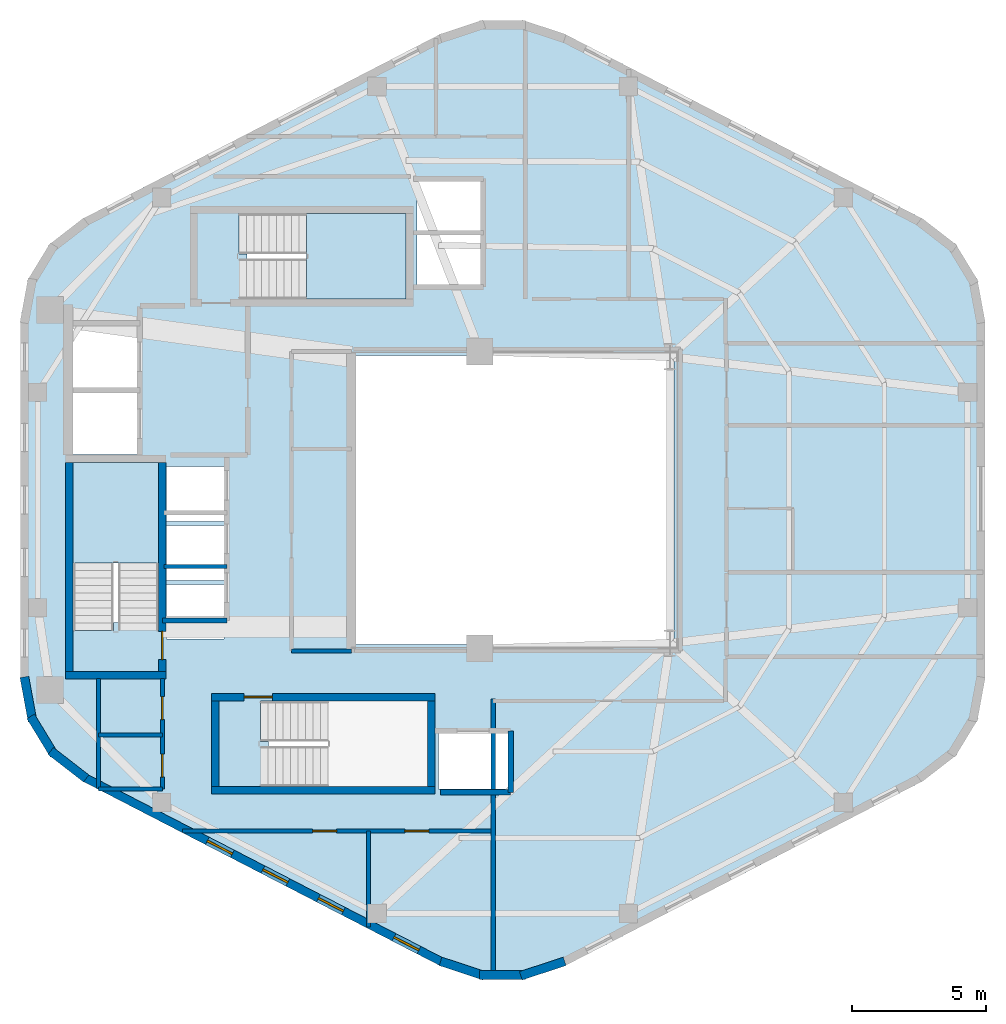
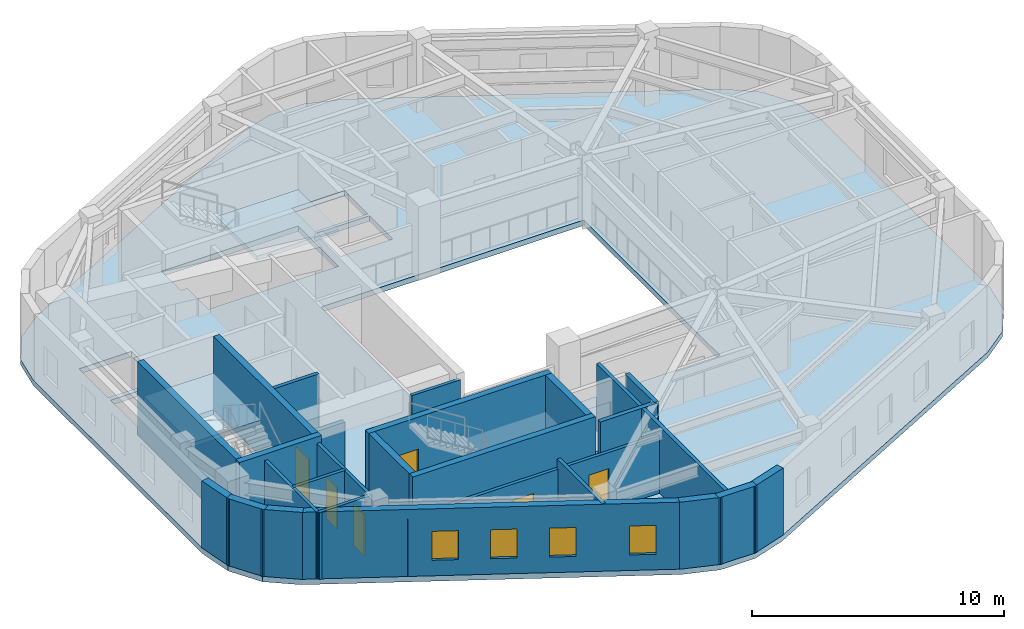
# One storey, part 2 of 6: 26 walls, 6 doors, 4 windows, 3 slabs, 10 openings, 2 elements without a shape of their own.
"""IFC4 building model written with IfcOpenShell, lengths in metres."""

from ifc_helpers import new_model, si_unit, direction, frame, frame_2d, origin, place, context, subcontext, project, spatial, polyline, rectangle, outline, extrude, material, layer, layer_set, type_object, element, fill, aggregate, save


model = new_model("IFC4")

# Units and contexts
model_context = context("Model", 3, precision=1e-05, world=origin(), true_north=direction((0.0, 1.0)))
body_context = subcontext(model_context, "Body", "Model", "MODEL_VIEW")
ifc_project = project(units=[si_unit("LENGTHUNIT", "METRE"), si_unit("AREAUNIT", "SQUARE_METRE"), si_unit("VOLUMEUNIT", "CUBIC_METRE"), si_unit("PLANEANGLEUNIT", "RADIAN"), si_unit("MASSUNIT", "GRAM", prefix="KILO"), si_unit("THERMODYNAMICTEMPERATUREUNIT", "KELVIN"), si_unit("POWERUNIT", "WATT")], contexts=[model_context])

# Site, building, storey
site_placement = place(None, origin())
site = spatial("IfcSite", under=ifc_project, at=site_placement, CompositionType="ELEMENT")
building_placement = place(site_placement, origin())
building = spatial("IfcBuilding", under=site, at=building_placement, Name="Skarre Station Tower", CompositionType="ELEMENT")
storey_placement = place(building_placement, frame((0.0, 0.0, 266.75)))
storey = spatial("IfcBuildingStorey", under=building, at=storey_placement, Name="L73", CompositionType="ELEMENT", Elevation=266.75)

# Stair, slab
ifc_material_1 = material(Name="Concrete C40/50", Category="concrete")
stair_type_1 = type_object("IfcStairType", Name="Reinforced Concrete Exit Stair ST-1", PredefinedType="HALF_TURN_STAIR", material=ifc_material_1)
stair_1_placement = place(storey_placement, origin())
stair_1 = element("IfcStair", 1, at=stair_1_placement, inside=storey, type_object=stair_type_1, Name="L73 Core Exit Stair ST-1", PredefinedType="HALF_TURN_STAIR")
ifc_layer_1 = layer(ifc_material_1, 0.219970703125, Name="Concrete C40/50")
ifc_layer_set_1 = layer_set([ifc_layer_1], Name="Concrete C40/50")
slab_type_1 = type_object("IfcSlabType", Name="Reinforced Concrete Stair & Ramp Landing 220", PredefinedType="LANDING", material=ifc_layer_set_1)
slab_1_placement = place(storey_placement, frame((0.0, 0.0, 1.574951171875)))
slab_1 = element("IfcSlab", 2, at=slab_1_placement, type_object=slab_type_1, Name="ST-1 landing 1", PredefinedType="LANDING", context=body_context, shape_type="SweptSolid", body=[
    extrude(outline(polyline([(20.35009765625, 21.639892578125), (20.35009765625, 25.39990234375), (17.14990234375, 25.39990234375), (17.14990234375, 21.639892578125), (20.35009765625, 21.639892578125)])), origin(), (0.0, 0.0, 1.0), 0.199951171875),
])
aggregate(stair_1, [slab_1])

stair_type_2 = type_object("IfcStairType", Name="Reinforced Concrete Exit Stair ST-3", PredefinedType="HALF_TURN_STAIR", material=ifc_material_1)
stair_2_placement = place(storey_placement, origin())
stair_2 = element("IfcStair", 3, at=stair_2_placement, inside=storey, type_object=stair_type_2, Name="L73 Core Exit Stair ST-3", PredefinedType="HALF_TURN_STAIR")
slab_2_placement = place(storey_placement, frame((0.0, 0.0, 1.574951171875)))
slab_2 = element("IfcSlab", 4, at=slab_2_placement, type_object=slab_type_1, Name="ST-3 landing 1", PredefinedType="LANDING", context=body_context, shape_type="SweptSolid", body=[
    extrude(outline(polyline([(25.8701171875, 31.5), (29.60009765625, 31.5), (29.60009765625, 34.699951171875), (25.8701171875, 34.699951171875), (25.8701171875, 31.5)])), origin(), (0.0, 0.0, 1.0), 0.199951171875),
])
aggregate(stair_2, [slab_2])

# Slab
ifc_material_2 = material(Name="Concrete C50/60", Category="concrete")
ifc_layer_2 = layer(ifc_material_2, 0.260009765625, Name="Concrete C50/60")
ifc_layer_set_2 = layer_set([ifc_layer_2], Name="Concrete C50/60")
slab_type_2 = type_object("IfcSlabType", Name="Tower Typical Composite Floor Slab 260", PredefinedType="FLOOR", material=ifc_layer_set_2)
slab_3_placement = place(storey_placement, frame((0.0, 0.0, -0.260009765625)))
element("IfcSlab", 5, at=slab_3_placement, inside=storey, type_object=slab_type_2, Name="L73 Zone 4 Structural Floor Slab", PredefinedType="FLOOR", context=body_context, shape_type="SweptSolid", body=[
    extrude(outline(polyline([(51.212890625, 30.701904296875), (50.93310546875, 32.222900390625), (50.1279296875, 33.544921875), (48.905029296875, 34.491943359375), (35.508056640625, 41.407958984375), (33.99609375, 41.906005859375), (32.404052734375, 41.906005859375), (30.89208984375, 41.407958984375), (17.4951171875, 34.491943359375), (16.27197265625, 33.544921875), (15.467041015625, 32.222900390625), (15.18701171875, 30.701904296875), (15.18701171875, 17.298095703125), (15.467041015625, 15.777099609375), (16.27197265625, 14.455078125), (17.4951171875, 13.508056640625), (30.89208984375, 6.592041015625), (32.404052734375, 6.093994140625), (33.99609375, 6.093994140625), (35.508056640625, 6.592041015625), (48.905029296875, 13.508056640625), (50.1279296875, 14.455078125), (50.93310546875, 15.777099609375), (51.212890625, 17.298095703125), (51.212890625, 30.701904296875)]), holes=[polyline([(18.669921875, 19.419921875), (18.669921875, 19.123046875), (17.14990234375, 19.123046875), (17.14990234375, 25.39990234375), (20.35009765625, 25.39990234375), (20.35009765625, 19.419921875), (18.669921875, 19.419921875)]), polyline([(24.449951171875, 14.97998046875), (24.153076171875, 14.97998046875), (24.153076171875, 16.5), (30.39990234375, 16.5), (30.39990234375, 13.300048828125), (24.449951171875, 13.300048828125), (24.449951171875, 14.97998046875)]), polyline([(23.64990234375, 33.179931640625), (23.35302734375, 33.179931640625), (23.35302734375, 34.699951171875), (29.60009765625, 34.699951171875), (29.60009765625, 31.5), (23.64990234375, 31.5), (23.64990234375, 33.179931640625)]), polyline([(17.14990234375, 28.0), (19.550048828125, 28.0), (19.550048828125, 25.699951171875), (17.14990234375, 25.699951171875), (17.14990234375, 28.0)]), polyline([(17.14990234375, 30.5), (19.550048828125, 30.5), (19.550048828125, 28.199951171875), (17.14990234375, 28.199951171875), (17.14990234375, 30.5)]), polyline([(30.800048828125, 15.300048828125), (33.39990234375, 15.300048828125), (33.39990234375, 13.199951171875), (30.800048828125, 13.199951171875), (30.800048828125, 15.300048828125)]), polyline([(20.64990234375, 20.85009765625), (22.800048828125, 20.85009765625), (22.800048828125, 18.800048828125), (20.64990234375, 18.800048828125), (20.64990234375, 20.85009765625)]), polyline([(20.64990234375, 23.050048828125), (22.800048828125, 23.050048828125), (22.800048828125, 21.0), (20.64990234375, 21.0), (20.64990234375, 23.050048828125)]), polyline([(20.64990234375, 25.25), (22.800048828125, 25.25), (22.800048828125, 23.199951171875), (20.64990234375, 23.199951171875), (20.64990234375, 25.25)]), polyline([(30.0, 33.89990234375), (32.39990234375, 33.89990234375), (32.39990234375, 32.050048828125), (30.0, 32.050048828125), (30.0, 33.89990234375)]), polyline([(30.0, 35.89990234375), (32.39990234375, 35.89990234375), (32.39990234375, 34.050048828125), (30.0, 34.050048828125), (30.0, 35.89990234375)]), polyline([(27.60009765625, 29.39990234375), (39.60009765625, 29.39990234375), (39.60009765625, 18.60009765625), (27.60009765625, 18.60009765625), (27.60009765625, 29.39990234375)])]), origin(), (0.0, 0.0, 1.0), 0.260009765625),
])

# Walls
ifc_material_3 = material(Name="Acoustic Steel-Stud Gypsum Partition", Category="steel")
ifc_layer_3 = layer(ifc_material_3, 0.14990234375, Name="Acoustic Steel-Stud Gypsum Partition")
ifc_layer_set_3 = layer_set([ifc_layer_3], Name="Acoustic Steel-Stud Gypsum Partition")
wall_type_1 = type_object("IfcWallType", Name="Fire-Rated Corridor Acoustic Partition 150", PredefinedType="PARTITIONING", material=ifc_layer_set_3)
wall_1_placement = place(storey_placement, frame((25.320068359375, 18.360107421875, 0.0), z_axis=(0.0, 0.0, 1.0), x_axis=(1.0, 0.0, 0.0)))
element("IfcWall", 6, at=wall_1_placement, inside=storey, type_object=wall_type_1, Name="L73 Interior Partition WL-PT-L73-RC2-S", PredefinedType="PARTITIONING", context=body_context, shape_type="SweptSolid", body=[
    extrude(rectangle(XDim=2.22998046875, YDim=0.14990234375, at=frame_2d((1.114990234375, 0.0))), origin(), (0.0, 0.0, 1.0), 3.239990234375),
])
wall_2_placement = place(storey_placement, frame((18.10009765625, 17.340087890625, 0.0), z_axis=(0.0, 0.0, 1.0), x_axis=(0.0, -1.0, 0.0)))
element("IfcWall", 7, at=wall_2_placement, inside=storey, type_object=wall_type_1, Name="L73 Interior Partition WL-PT-L73-CSVC-W", PredefinedType="PARTITIONING", context=body_context, shape_type="SweptSolid", body=[
    extrude(rectangle(XDim=4.133056640625, YDim=0.14990234375, at=frame_2d((2.06640625, 0.0))), origin(), (0.0, 0.0, 1.0), 3.239990234375),
])
wall_3_placement = place(storey_placement, frame((18.113037109375, 13.199951171875, 0.0), z_axis=(0.0, 0.0, 1.0), x_axis=(1.0, 0.0, 0.0)))
element("IfcWall", 8, at=wall_3_placement, inside=storey, type_object=wall_type_1, Name="L73 Interior Partition WL-PT-L73-CSVC-S", PredefinedType="PARTITIONING", context=body_context, shape_type="SweptSolid", body=[
    extrude(rectangle(XDim=2.376953125, YDim=0.14990234375, at=frame_2d((1.1884765625, 0.0))), origin(), (0.0, 0.0, 1.0), 3.239990234375),
])
wall_4_placement = place(storey_placement, frame((18.10009765625, 15.219970703125, 0.0), z_axis=(0.0, 0.0, 1.0), x_axis=(1.0, 0.0, 0.0)))
element("IfcWall", 9, at=wall_4_placement, inside=storey, type_object=wall_type_1, Name="L73 Interior Partition WL-PT-L73-CSVC-M", PredefinedType="PARTITIONING", context=body_context, shape_type="SweptSolid", body=[
    extrude(rectangle(XDim=2.389892578125, YDim=0.14990234375, at=frame_2d((1.19482421875, 0.0))), origin(), (0.0, 0.0, 1.0), 3.239990234375),
])

# Wall, openings, doors
wall_5_placement = place(storey_placement, frame((20.489990234375, 13.199951171875, 0.0), z_axis=(0.0, 0.0, 1.0), x_axis=(0.0, 1.0, 0.0)))
wall_5 = element("IfcWall", 10, at=wall_5_placement, inside=storey, type_object=wall_type_1, Name="L73 Interior Partition WL-PT-L73-CSVC-E", PredefinedType="PARTITIONING", context=body_context, shape_type="SweptSolid", body=[
    extrude(rectangle(XDim=4.14013671875, YDim=0.14990234375, at=frame_2d((2.070068359375, 0.0))), origin(), (0.0, 0.0, 1.0), 3.239990234375),
])
opening_1_placement = place(wall_5_placement, frame((0.449951171875, 0.0, 0.0)))
opening_1 = element("IfcOpeningElement", 11, at=opening_1_placement, cuts=wall_5, Name="Opening DR-SVC86", PredefinedType="OPENING", context=body_context, shape_type="SweptSolid", body=[
    extrude(rectangle(XDim=0.860107421875, YDim=2.0, at=frame_2d((0.43017578125, 1.0))), frame((0.0, 0.0849609375, 0.0), z_axis=(0.0, -1.0, 0.0), x_axis=(1.0, 0.0, 0.0)), (0.0, 0.0, 1.0), 0.169921875),
])
opening_2_placement = place(wall_5_placement, frame((2.60009765625, 0.0, 0.0)))
opening_2 = element("IfcOpeningElement", 12, at=opening_2_placement, cuts=wall_5, Name="Opening DR-SVC86", PredefinedType="OPENING", context=body_context, shape_type="SweptSolid", body=[
    extrude(rectangle(XDim=0.860107421875, YDim=2.0, at=frame_2d((0.43017578125, 1.0))), frame((0.0, 0.0849609375, 0.0), z_axis=(0.0, -1.0, 0.0), x_axis=(1.0, 0.0, 0.0)), (0.0, 0.0, 1.0), 0.169921875),
])
ifc_material_4 = material(Name="Powder-Coated Hollow-Metal Acoustic Fire Leaf", Category="steel")
door_type_1 = type_object("IfcDoorType", Name="Compact Riser Fire Door FD60 860x2100", OperationType="SINGLE_SWING_LEFT", PredefinedType="DOOR", material=ifc_material_4)
door_1_placement = place(opening_1_placement, origin())
door_1 = element("IfcDoor", 13, at=door_1_placement, inside=storey, type_object=door_type_1, Name="L73 Vending Room Door", OperationType="SINGLE_SWING_LEFT", OverallHeight=2.0, OverallWidth=0.860107421875, PredefinedType="DOOR", context=body_context, shape_type="SweptSolid", body=[
    extrude(rectangle(XDim=0.860107421875, YDim=2.0, at=frame_2d((0.43017578125, 1.0))), frame((0.0, 0.02490234375, 0.0), z_axis=(0.0, -1.0, 0.0), x_axis=(1.0, 0.0, 0.0)), (0.0, 0.0, 1.0), 0.050048828125),
])
fill(opening_1, door_1)
door_2_placement = place(opening_2_placement, origin())
door_2 = element("IfcDoor", 14, at=door_2_placement, inside=storey, type_object=door_type_1, Name="L73 Linen Storage Door", OperationType="SINGLE_SWING_LEFT", OverallHeight=2.0, OverallWidth=0.860107421875, PredefinedType="DOOR", context=body_context, shape_type="SweptSolid", body=[
    extrude(rectangle(XDim=0.860107421875, YDim=2.0, at=frame_2d((0.43017578125, 1.0))), frame((0.0, 0.02490234375, 0.0), z_axis=(0.0, -1.0, 0.0), x_axis=(1.0, 0.0, 0.0)), (0.0, 0.0, 1.0), 0.050048828125),
])
fill(opening_2, door_2)

# Wall
wall_6_placement = place(storey_placement, frame((28.199951171875, 8.049072265625, 0.0), z_axis=(0.0, 0.0, 1.0), x_axis=(0.0, 1.0, 0.0)))
element("IfcWall", 15, at=wall_6_placement, inside=storey, type_object=wall_type_1, Name="L73 Interior Partition WL-PT-L73-SWP-M", PredefinedType="PARTITIONING", context=body_context, shape_type="SweptSolid", body=[
    extrude(rectangle(XDim=3.5908203125, YDim=0.14990234375, at=frame_2d((1.79541015625, 0.0))), origin(), (0.0, 0.0, 1.0), 3.239990234375),
])

# Wall, openings, doors
wall_7_placement = place(storey_placement, frame((21.243896484375, 11.639892578125, 0.0), z_axis=(0.0, 0.0, 1.0), x_axis=(1.0, 0.0, 0.0)))
wall_7 = element("IfcWall", 16, at=wall_7_placement, inside=storey, type_object=wall_type_1, Name="L73 Interior Partition WL-PT-L73-SWP-N", PredefinedType="PARTITIONING", context=body_context, shape_type="SweptSolid", body=[
    extrude(rectangle(XDim=11.606201171875, YDim=0.14990234375, at=frame_2d((5.80322265625, 0.0))), origin(), (0.0, 0.0, 1.0), 2.782958984375),
])
opening_3_placement = place(wall_7_placement, frame((4.85595703125, 0.0, 0.0)))
opening_3 = element("IfcOpeningElement", 17, at=opening_3_placement, cuts=wall_7, Name="Opening DR-SVC90", PredefinedType="OPENING", context=body_context, shape_type="SweptSolid", body=[
    extrude(rectangle(XDim=0.89990234375, YDim=2.0, at=frame_2d((0.449951171875, 1.0))), frame((0.0, 0.0849609375, 0.0), z_axis=(0.0, -1.0, 0.0), x_axis=(1.0, 0.0, 0.0)), (0.0, 0.0, 1.0), 0.169921875),
])
opening_4_placement = place(wall_7_placement, frame((8.305908203125, 0.0, 0.0)))
opening_4 = element("IfcOpeningElement", 18, at=opening_4_placement, cuts=wall_7, Name="Opening DR-SVC90", PredefinedType="OPENING", context=body_context, shape_type="SweptSolid", body=[
    extrude(rectangle(XDim=0.89990234375, YDim=2.0, at=frame_2d((0.449951171875, 1.0))), frame((0.0, 0.0849609375, 0.0), z_axis=(0.0, -1.0, 0.0), x_axis=(1.0, 0.0, 0.0)), (0.0, 0.0, 1.0), 0.169921875),
])
door_type_2 = type_object("IfcDoorType", Name="Service & Riser Fire Door FD60 900x2100", OperationType="SINGLE_SWING_LEFT", PredefinedType="DOOR", material=ifc_material_4)
door_3_placement = place(opening_3_placement, origin())
door_3 = element("IfcDoor", 19, at=door_3_placement, inside=storey, type_object=door_type_2, Name="L73 Floor Public Toilets Door", OperationType="SINGLE_SWING_LEFT", OverallHeight=2.0, OverallWidth=0.89990234375, PredefinedType="DOOR", context=body_context, shape_type="SweptSolid", body=[
    extrude(rectangle(XDim=0.89990234375, YDim=2.0, at=frame_2d((0.449951171875, 1.0))), frame((0.0, 0.02490234375, 0.0), z_axis=(0.0, -1.0, 0.0), x_axis=(1.0, 0.0, 0.0)), (0.0, 0.0, 1.0), 0.050048828125),
])
fill(opening_3, door_3)
door_4_placement = place(opening_4_placement, origin())
door_4 = element("IfcDoor", 20, at=door_4_placement, inside=storey, type_object=door_type_2, Name="L73 South-West Study Door", OperationType="SINGLE_SWING_LEFT", OverallHeight=2.0, OverallWidth=0.89990234375, PredefinedType="DOOR", context=body_context, shape_type="SweptSolid", body=[
    extrude(rectangle(XDim=0.89990234375, YDim=2.0, at=frame_2d((0.449951171875, 1.0))), frame((0.0, 0.02490234375, 0.0), z_axis=(0.0, -1.0, 0.0), x_axis=(1.0, 0.0, 0.0)), (0.0, 0.0, 1.0), 0.050048828125),
])
fill(opening_4, door_4)

# Walls
ifc_material_5 = material(Name="Precast concrete C45/55", Category="concrete")
ifc_layer_4 = layer(ifc_material_5, 0.330078125, Name="Precast concrete C45/55")
ifc_layer_set_4 = layer_set([ifc_layer_4], Name="Precast concrete C45/55")
wall_type_2 = type_object("IfcWallType", Name="Nordic Rounded Corner Precast Wall 330", PredefinedType="STANDARD", material=ifc_layer_set_4)
wall_8_placement = place(storey_placement, frame((17.64697265625, 13.59912109375, 0.0), z_axis=(0.0, 0.0, 1.0), x_axis=(-0.790691856293, 0.61221433207, 0.0)))
element("IfcWall", 21, at=wall_8_placement, inside=storey, type_object=wall_type_2, Name="L73 Rounded Corner Precast Wall F3-1", PredefinedType="STANDARD", context=body_context, shape_type="SweptSolid", body=[
    extrude(rectangle(XDim=1.67578125, YDim=0.330078125, at=frame_2d((0.837890625, 0.0))), origin(), (0.0, 0.0, 1.0), 3.239990234375),
])
wall_9_placement = place(storey_placement, frame((16.447021484375, 14.485107421875, 0.0), z_axis=(0.0, 0.0, 1.0), x_axis=(-0.520325409202, 0.853968072318, 0.0)))
element("IfcWall", 22, at=wall_9_placement, inside=storey, type_object=wall_type_2, Name="L73 Rounded Corner Precast Wall F3-2", PredefinedType="STANDARD", context=body_context, shape_type="SweptSolid", body=[
    extrude(rectangle(XDim=1.677978515625, YDim=0.330078125, at=frame_2d((0.8388671875, 0.0))), origin(), (0.0, 0.0, 1.0), 3.239990234375),
])
wall_10_placement = place(storey_placement, frame((15.64111328125, 15.742919921875, 0.0), z_axis=(0.0, 0.0, 1.0), x_axis=(-0.180832605401, 0.983513888475, 0.0)))
element("IfcWall", 23, at=wall_10_placement, inside=storey, type_object=wall_type_2, Name="L73 Rounded Corner Precast Wall F3-3", PredefinedType="STANDARD", context=body_context, shape_type="SweptSolid", body=[
    extrude(rectangle(XDim=1.6767578125, YDim=0.330078125, at=frame_2d((0.83837890625, 0.0))), origin(), (0.0, 0.0, 1.0), 3.239990234375),
])
wall_11_placement = place(storey_placement, frame((35.51806640625, 6.76904296875, 0.0), z_axis=(0.0, 0.0, 1.0), x_axis=(-0.949713440491, -0.313120393699, 0.0)))
element("IfcWall", 24, at=wall_11_placement, inside=storey, type_object=wall_type_2, Name="L73 Rounded Corner Precast Wall F4-1", PredefinedType="STANDARD", context=body_context, shape_type="SweptSolid", body=[
    extrude(rectangle(XDim=1.7216796875, YDim=0.330078125, at=frame_2d((0.86083984375, 0.0))), origin(), (0.0, 0.0, 1.0), 3.239990234375),
])
wall_12_placement = place(storey_placement, frame((34.06103515625, 6.259033203125, 0.0), z_axis=(0.0, 0.0, 1.0), x_axis=(-1.0, 0.0, 0.0)))
element("IfcWall", 25, at=wall_12_placement, inside=storey, type_object=wall_type_2, Name="L73 Rounded Corner Precast Wall F4-2", PredefinedType="STANDARD", context=body_context, shape_type="SweptSolid", body=[
    extrude(rectangle(XDim=1.721923828125, YDim=0.330078125, at=frame_2d((0.86083984375, 0.0))), origin(), (0.0, 0.0, 1.0), 3.239990234375),
])
wall_13_placement = place(storey_placement, frame((32.51708984375, 6.22998046875, 0.0), z_axis=(0.0, 0.0, 1.0), x_axis=(-0.949713440491, 0.313120393699, 0.0)))
element("IfcWall", 26, at=wall_13_placement, inside=storey, type_object=wall_type_2, Name="L73 Rounded Corner Precast Wall F4-3", PredefinedType="STANDARD", context=body_context, shape_type="SweptSolid", body=[
    extrude(rectangle(XDim=1.7216796875, YDim=0.330078125, at=frame_2d((0.86083984375, 0.0))), origin(), (0.0, 0.0, 1.0), 3.239990234375),
])

# Wall, openings, windows
ifc_layer_5 = layer(ifc_material_5, 0.31005859375, Name="Precast concrete C45/55")
ifc_layer_set_5 = layer_set([ifc_layer_5], Name="Precast concrete C45/55")
wall_type_3 = type_object("IfcWallType", Name="Nordic Upper-Zone Precast Facet Wall 310", PredefinedType="STANDARD", material=ifc_layer_set_5)
wall_14_placement = place(storey_placement, frame((30.962890625, 6.72998046875, 0.0), z_axis=(0.0, 0.0, 1.0), x_axis=(-0.888581481622, 0.458718814218, 0.0)))
wall_14 = element("IfcWall", 27, at=wall_14_placement, inside=storey, type_object=wall_type_3, Name="L73 Facet 3 Nordic Precast Masonry Wall", PredefinedType="STANDARD", context=body_context, shape_type="SweptSolid", body=[
    extrude(rectangle(XDim=15.076904296875, YDim=0.31005859375, at=frame_2d((7.53857421875, 0.0))), origin(), (0.0, 0.0, 1.0), 3.239990234375),
])
opening_5_placement = place(wall_14_placement, frame((0.998046875, 0.0, 0.75)))
opening_5 = element("IfcOpeningElement", 28, at=opening_5_placement, cuts=wall_14, Name="Opening WN-SLT", PredefinedType="OPENING", context=body_context, shape_type="SweptSolid", body=[
    extrude(rectangle(XDim=1.050048828125, YDim=1.39990234375, at=frame_2d((0.52490234375, 0.699951171875))), frame((0.0, 0.1650390625, 0.0), z_axis=(0.0, -1.0, 0.0), x_axis=(1.0, 0.0, 0.0)), (0.0, 0.0, 1.0), 0.330078125),
])
opening_6_placement = place(wall_14_placement, frame((4.176025390625, 0.0, 0.75)))
opening_6 = element("IfcOpeningElement", 29, at=opening_6_placement, cuts=wall_14, Name="Opening WN-SLT", PredefinedType="OPENING", context=body_context, shape_type="SweptSolid", body=[
    extrude(rectangle(XDim=1.050048828125, YDim=1.39990234375, at=frame_2d((0.52490234375, 0.699951171875))), frame((0.0, 0.1650390625, 0.0), z_axis=(0.0, -1.0, 0.0), x_axis=(1.0, 0.0, 0.0)), (0.0, 0.0, 1.0), 0.330078125),
])
opening_7_placement = place(wall_14_placement, frame((6.509033203125, 0.0, 0.75)))
opening_7 = element("IfcOpeningElement", 30, at=opening_7_placement, cuts=wall_14, Name="Opening WN-SLT", PredefinedType="OPENING", context=body_context, shape_type="SweptSolid", body=[
    extrude(rectangle(XDim=1.050048828125, YDim=1.39990234375, at=frame_2d((0.52490234375, 0.699951171875))), frame((0.0, 0.1650390625, 0.0), z_axis=(0.0, -1.0, 0.0), x_axis=(1.0, 0.0, 0.0)), (0.0, 0.0, 1.0), 0.330078125),
])
opening_8_placement = place(wall_14_placement, frame((8.842041015625, 0.0, 0.75)))
opening_8 = element("IfcOpeningElement", 31, at=opening_8_placement, cuts=wall_14, Name="Opening WN-SLT", PredefinedType="OPENING", context=body_context, shape_type="SweptSolid", body=[
    extrude(rectangle(XDim=1.050048828125, YDim=1.39990234375, at=frame_2d((0.52490234375, 0.699951171875))), frame((0.0, 0.1650390625, 0.0), z_axis=(0.0, -1.0, 0.0), x_axis=(1.0, 0.0, 0.0)), (0.0, 0.0, 1.0), 0.330078125),
])
ifc_material_6 = material(Name="Low-Iron Triple Glazing with Bronze Anodized Frame", Category="glass")
window_type = type_object("IfcWindowType", Name="Nordic Corner Slot Window 1050x1400", PartitioningType="SINGLE_PANEL", PredefinedType="WINDOW", material=ifc_material_6)
window_1_placement = place(opening_5_placement, origin())
window_1 = element("IfcWindow", 32, at=window_1_placement, inside=storey, type_object=window_type, Name="L73 Facade Window WL-FAC-L73-F3-1", OverallHeight=1.39990234375, OverallWidth=1.050048828125, PartitioningType="SINGLE_PANEL", PredefinedType="WINDOW", context=body_context, shape_type="SweptSolid", body=[
    extrude(rectangle(XDim=1.050048828125, YDim=1.39990234375, at=frame_2d((0.52490234375, 0.699951171875))), frame((0.0, 0.030029296875, 0.0), z_axis=(0.0, -1.0, 0.0), x_axis=(1.0, 0.0, 0.0)), (0.0, 0.0, 1.0), 0.06005859375),
])
fill(opening_5, window_1)
window_2_placement = place(opening_6_placement, origin())
window_2 = element("IfcWindow", 33, at=window_2_placement, inside=storey, type_object=window_type, Name="L73 Facade Window WL-FAC-L73-F3-2", OverallHeight=1.39990234375, OverallWidth=1.050048828125, PartitioningType="SINGLE_PANEL", PredefinedType="WINDOW", context=body_context, shape_type="SweptSolid", body=[
    extrude(rectangle(XDim=1.050048828125, YDim=1.39990234375, at=frame_2d((0.52490234375, 0.699951171875))), frame((0.0, 0.030029296875, 0.0), z_axis=(0.0, -1.0, 0.0), x_axis=(1.0, 0.0, 0.0)), (0.0, 0.0, 1.0), 0.06005859375),
])
fill(opening_6, window_2)
window_3_placement = place(opening_7_placement, origin())
window_3 = element("IfcWindow", 34, at=window_3_placement, inside=storey, type_object=window_type, Name="L73 Facade Window WL-FAC-L73-F3-3", OverallHeight=1.39990234375, OverallWidth=1.050048828125, PartitioningType="SINGLE_PANEL", PredefinedType="WINDOW", context=body_context, shape_type="SweptSolid", body=[
    extrude(rectangle(XDim=1.050048828125, YDim=1.39990234375, at=frame_2d((0.52490234375, 0.699951171875))), frame((0.0, 0.030029296875, 0.0), z_axis=(0.0, -1.0, 0.0), x_axis=(1.0, 0.0, 0.0)), (0.0, 0.0, 1.0), 0.06005859375),
])
fill(opening_7, window_3)
window_4_placement = place(opening_8_placement, origin())
window_4 = element("IfcWindow", 35, at=window_4_placement, inside=storey, type_object=window_type, Name="L73 Facade Window WL-FAC-L73-F3-4", OverallHeight=1.39990234375, OverallWidth=1.050048828125, PartitioningType="SINGLE_PANEL", PredefinedType="WINDOW", context=body_context, shape_type="SweptSolid", body=[
    extrude(rectangle(XDim=1.050048828125, YDim=1.39990234375, at=frame_2d((0.52490234375, 0.699951171875))), frame((0.0, 0.030029296875, 0.0), z_axis=(0.0, -1.0, 0.0), x_axis=(1.0, 0.0, 0.0)), (0.0, 0.0, 1.0), 0.06005859375),
])
fill(opening_8, window_4)

# Walls
ifc_layer_6 = layer(ifc_material_2, 0.280029296875, Name="Concrete C50/60")
ifc_layer_set_6 = layer_set([ifc_layer_6], Name="Concrete C50/60")
wall_type_4 = type_object("IfcWallType", Name="RC Core Shear Wall 280", PredefinedType="SHEAR", material=ifc_layer_set_6)
wall_15_placement = place(storey_placement, frame((16.8701171875, 17.4599609375, 0.0), z_axis=(0.0, 0.0, 1.0), x_axis=(1.0, 0.0, 0.0)))
element("IfcWall", 36, at=wall_15_placement, inside=storey, type_object=wall_type_4, Name="L73 Stair ST-1 South Shear Wall", PredefinedType="SHEAR", context=body_context, shape_type="SweptSolid", body=[
    extrude(rectangle(XDim=3.759765625, YDim=0.280029296875, at=frame_2d((1.8798828125, 0.0))), origin(), (0.0, 0.0, 1.0), 3.550048828125),
])
wall_16_placement = place(storey_placement, frame((17.010009765625, 25.39990234375, 0.0), z_axis=(0.0, 0.0, 1.0), x_axis=(0.0, -1.0, 0.0)))
element("IfcWall", 37, at=wall_16_placement, inside=storey, type_object=wall_type_4, Name="L73 Stair ST-1 West Shear Wall", PredefinedType="SHEAR", context=body_context, shape_type="SweptSolid", body=[
    extrude(rectangle(XDim=7.7998046875, YDim=0.280029296875, at=frame_2d((3.89990234375, 0.0))), origin(), (0.0, 0.0, 1.0), 3.550048828125),
])

# Wall, opening, door
wall_17_placement = place(storey_placement, frame((20.489990234375, 17.60009765625, 0.0), z_axis=(0.0, 0.0, 1.0), x_axis=(0.0, 1.0, 0.0)))
wall_17 = element("IfcWall", 38, at=wall_17_placement, inside=storey, type_object=wall_type_4, Name="L73 Stair ST-1 East Shear Wall", PredefinedType="SHEAR", context=body_context, shape_type="SweptSolid", body=[
    extrude(rectangle(XDim=7.7998046875, YDim=0.280029296875, at=frame_2d((3.89990234375, 0.0))), origin(), (0.0, 0.0, 1.0), 3.550048828125),
])
opening_9_placement = place(wall_17_placement, frame((0.43994140625, 0.0, 0.0)))
opening_9 = element("IfcOpeningElement", 39, at=opening_9_placement, cuts=wall_17, Name="Opening DR-FD90", PredefinedType="OPENING", context=body_context, shape_type="SweptSolid", body=[
    extrude(rectangle(XDim=1.050048828125, YDim=2.0, at=frame_2d((0.52490234375, 1.0))), frame((0.0, 0.14990234375, 0.0), z_axis=(0.0, -1.0, 0.0), x_axis=(1.0, 0.0, 0.0)), (0.0, 0.0, 1.0), 0.300048828125),
])
ifc_material_7 = material(Name="Fire-Rated Insulated Steel Frame & Timber Core Leaf", Category="steel")
door_type_3 = type_object("IfcDoorType", Name="Stair & FSAE Lobby Fire Door FD90 1050x2150", OperationType="SINGLE_SWING_RIGHT", PredefinedType="DOOR", material=ifc_material_7)
door_5_placement = place(opening_9_placement, origin())
door_5 = element("IfcDoor", 40, at=door_5_placement, inside=storey, type_object=door_type_3, Name="L73 Stair ST-1 Exit Door", OperationType="SINGLE_SWING_RIGHT", OverallHeight=2.0, OverallWidth=1.050048828125, PredefinedType="DOOR", context=body_context, shape_type="SweptSolid", body=[
    extrude(rectangle(XDim=1.050048828125, YDim=2.0, at=frame_2d((0.52490234375, 1.0))), frame((0.0, 0.02490234375, 0.0), z_axis=(0.0, -1.0, 0.0), x_axis=(1.0, 0.0, 0.0)), (0.0, 0.0, 1.0), 0.050048828125),
])
fill(opening_9, door_5)

# Wall
wall_18_placement = place(storey_placement, frame((22.320068359375, 13.159912109375, 0.0), z_axis=(0.0, 0.0, 1.0), x_axis=(1.0, 0.0, 0.0)))
element("IfcWall", 41, at=wall_18_placement, inside=storey, type_object=wall_type_4, Name="L73 Stair ST-2 South Shear Wall", PredefinedType="SHEAR", context=body_context, shape_type="SweptSolid", body=[
    extrude(rectangle(XDim=8.35986328125, YDim=0.280029296875, at=frame_2d((4.179931640625, 0.0))), origin(), (0.0, 0.0, 1.0), 3.550048828125),
])

# Wall, opening, door
wall_19_placement = place(storey_placement, frame((30.679931640625, 16.639892578125, 0.0), z_axis=(0.0, 0.0, 1.0), x_axis=(-1.0, 0.0, 0.0)))
wall_19 = element("IfcWall", 42, at=wall_19_placement, inside=storey, type_object=wall_type_4, Name="L73 Stair ST-2 North Shear Wall", PredefinedType="SHEAR", context=body_context, shape_type="SweptSolid", body=[
    extrude(rectangle(XDim=8.35986328125, YDim=0.280029296875, at=frame_2d((4.179931640625, 0.0))), origin(), (0.0, 0.0, 1.0), 3.550048828125),
])
opening_10_placement = place(wall_19_placement, frame((6.080078125, 0.0, 0.0)))
opening_10 = element("IfcOpeningElement", 43, at=opening_10_placement, cuts=wall_19, Name="Opening DR-FD90", PredefinedType="OPENING", context=body_context, shape_type="SweptSolid", body=[
    extrude(rectangle(XDim=1.050048828125, YDim=2.0, at=frame_2d((0.52490234375, 1.0))), frame((0.0, 0.14990234375, 0.0), z_axis=(0.0, -1.0, 0.0), x_axis=(1.0, 0.0, 0.0)), (0.0, 0.0, 1.0), 0.300048828125),
])
door_6_placement = place(opening_10_placement, origin())
door_6 = element("IfcDoor", 44, at=door_6_placement, inside=storey, type_object=door_type_3, Name="L73 Stair ST-2 Exit Door", OperationType="SINGLE_SWING_RIGHT", OverallHeight=2.0, OverallWidth=1.050048828125, PredefinedType="DOOR", context=body_context, shape_type="SweptSolid", body=[
    extrude(rectangle(XDim=1.050048828125, YDim=2.0, at=frame_2d((0.52490234375, 1.0))), frame((0.0, 0.02490234375, 0.0), z_axis=(0.0, -1.0, 0.0), x_axis=(1.0, 0.0, 0.0)), (0.0, 0.0, 1.0), 0.050048828125),
])
fill(opening_10, door_6)

# Walls
for number, where, z_axis, x_axis, name in (
    (45, (22.4599609375, 16.5, 0.0), (0.0, 0.0, 1.0), (0.0, -1.0, 0.0), "L73 Stair ST-2 West Shear Wall"),
    (46, (30.5400390625, 13.300048828125, 0.0), (0.0, 0.0, 1.0), (0.0, 1.0, 0.0), "L73 Stair ST-2 East Shear Wall"),
):
    element("IfcWall", number, at=place(storey_placement, frame(where, z_axis=z_axis, x_axis=x_axis)), inside=storey, type_object=wall_type_4, Name=name, PredefinedType="SHEAR", context=body_context, shape_type="SweptSolid", body=[
        extrude(rectangle(XDim=3.199951171875, YDim=0.280029296875, at=frame_2d((1.60009765625, 0.0))), origin(), (0.0, 0.0, 1.0), 3.550048828125),
    ])
ifc_material_8 = material(Name="Gypsum Concrete Shaft Assembly C30/37", Category="concrete")
ifc_layer_7 = layer(ifc_material_8, 0.199951171875, Name="Gypsum Concrete Shaft Assembly C30/37")
ifc_layer_set_7 = layer_set([ifc_layer_7], Name="Gypsum Concrete Shaft Assembly C30/37")
wall_type_5 = type_object("IfcWallType", Name="Shaft & Core Fire Partition 200", PredefinedType="PARTITIONING", material=ifc_layer_set_7)
wall_20_placement = place(storey_placement, frame((33.5, 13.080078125, 0.0), z_axis=(0.0, 0.0, 1.0), x_axis=(0.0, 1.0, 0.0)))
element("IfcWall", 47, at=wall_20_placement, inside=storey, type_object=wall_type_5, Name="L73 Interior Partition WL-PT-L73-SV1-E", PredefinedType="PARTITIONING", context=body_context, shape_type="SweptSolid", body=[
    extrude(rectangle(XDim=2.2998046875, YDim=0.199951171875, at=frame_2d((1.14990234375, 0.0))), origin(), (0.0, 0.0, 1.0), 3.239990234375),
])
wall_21_placement = place(storey_placement, frame((30.87890625, 13.080078125, 0.0), z_axis=(0.0, 0.0, 1.0), x_axis=(1.0, 0.0, 0.0)))
element("IfcWall", 48, at=wall_21_placement, inside=storey, type_object=wall_type_5, Name="L73 Interior Partition WL-PT-L73-SV1-S", PredefinedType="PARTITIONING", context=body_context, shape_type="SweptSolid", body=[
    extrude(rectangle(XDim=2.62109375, YDim=0.199951171875, at=frame_2d((1.310546875, 0.0))), origin(), (0.0, 0.0, 1.0), 3.239990234375),
])
wall_22_placement = place(storey_placement, frame((20.489990234375, 19.5, 0.0), z_axis=(0.0, 0.0, 1.0), x_axis=(1.0, 0.0, 0.0)))
element("IfcWall", 49, at=wall_22_placement, inside=storey, type_object=wall_type_5, Name="L73 Interior Partition WL-PT-L73-B3-S", PredefinedType="PARTITIONING", context=body_context, shape_type="SweptSolid", body=[
    extrude(rectangle(XDim=2.409912109375, YDim=0.199951171875, at=frame_2d((1.205078125, 0.0))), origin(), (0.0, 0.0, 1.0), 2.139892578125),
])
wall_23_placement = place(storey_placement, frame((20.550048828125, 21.52001953125, 0.0), z_axis=(0.0, 0.0, 1.0), x_axis=(1.0, 0.0, 0.0)))
element("IfcWall", 50, at=wall_23_placement, inside=storey, type_object=wall_type_5, Name="L73 Interior Partition WL-PT-L73-B3-D1", PredefinedType="PARTITIONING", context=body_context, shape_type="SweptSolid", body=[
    extrude(rectangle(XDim=2.349853515625, YDim=0.159912109375, at=frame_2d((1.1748046875, 0.0))), origin(), (0.0, 0.0, 1.0), 3.239990234375),
])
ifc_layer_8 = layer(ifc_material_3, 0.1650390625, Name="Acoustic Steel-Stud Gypsum Partition")
ifc_layer_set_8 = layer_set([ifc_layer_8], Name="Acoustic Steel-Stud Gypsum Partition")
wall_type_6 = type_object("IfcWallType", Name="Suite Demising Acoustic Partition 165", PredefinedType="PARTITIONING", material=ifc_layer_set_8)
wall_24_placement = place(storey_placement, frame((32.85009765625, 6.154052734375, 0.0), z_axis=(0.0, 0.0, 1.0), x_axis=(0.0, 1.0, 0.0)))
element("IfcWall", 51, at=wall_24_placement, inside=storey, type_object=wall_type_6, Name="L73 Interior Partition WL-PT-L73-SWP-E", PredefinedType="PARTITIONING", context=body_context, shape_type="SweptSolid", body=[
    extrude(rectangle(XDim=10.416015625, YDim=0.1650390625, at=frame_2d((5.2080078125, 0.0))), origin(), (0.0, 0.0, 1.0), 3.239990234375),
])

save(model, "model.ifc")
